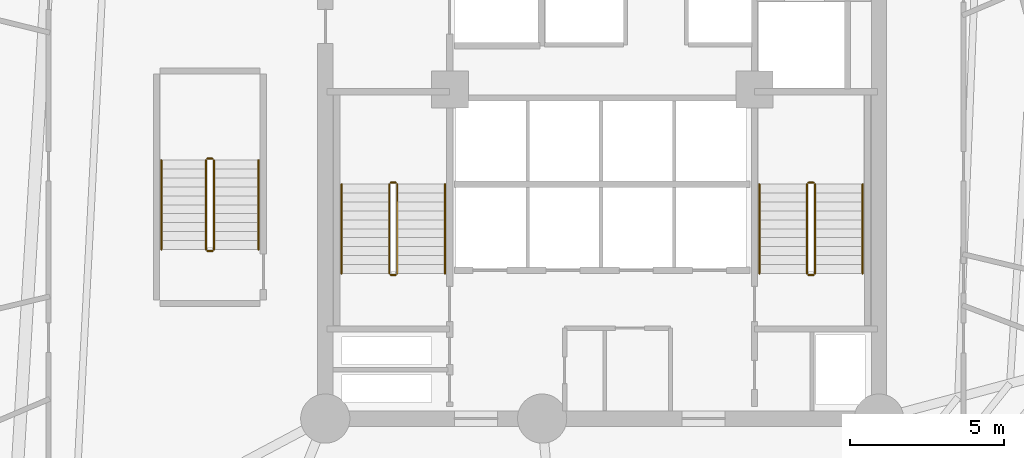
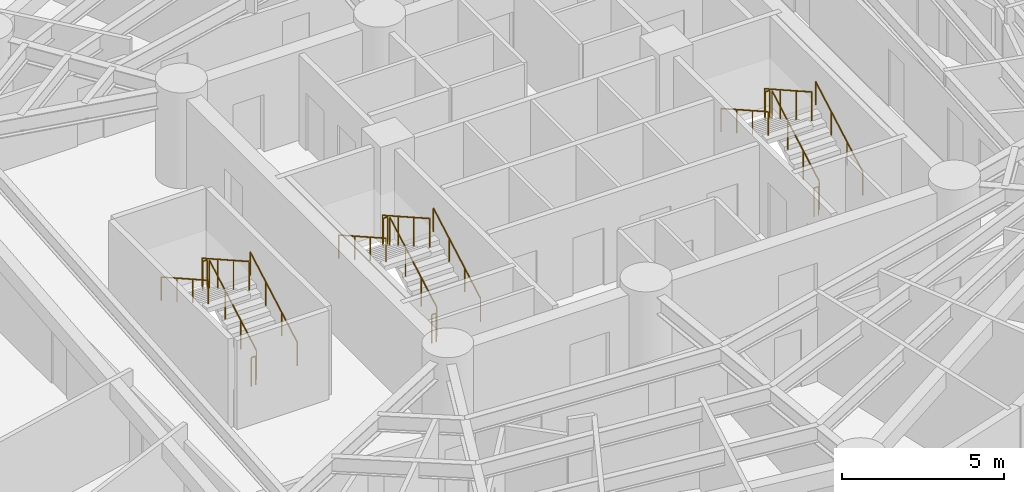
# One storey, part 8 of 8: 18 railings.
"""IFC4 building model written with IfcOpenShell, lengths in metres."""

import ifcopenshell
import ifcopenshell.guid

model = None  # the IFC model being written
_history = None  # IfcOwnerHistory: only IFC2X3 demands one
_inside = {}  # id of a spatial element -> (the spatial element, [elements in it])
_under = {}  # id of a project, library or spatial element -> (it, [spatial elements below it])
_declared = {}  # id of a project -> (the project, [libraries it declares])
_typed = {}  # id of a type object -> (the type object, [elements of that type])
_made_of = {}  # id of a material, layer set ... -> (it, [elements and type objects made of it])


def new_model(schema):
    """Start an empty IFC model of exactly this schema.

    Asked for "IFC4X3", IfcOpenShell would pick the latest addendum, in which some entities
    have other attributes; the version numbers below select the first issue.
    IFC2X3 requires an IfcOwnerHistory on every rooted entity: one is made here for all.
    """
    global model, _history
    if schema == "IFC4X3":
        model = ifcopenshell.file(schema_version=(4, 3, 0, 0))
    else:
        model = ifcopenshell.file(schema=schema)
    _inside.clear()
    _under.clear()
    _declared.clear()
    _typed.clear()
    _made_of.clear()
    _history = None
    if model.schema == "IFC2X3":
        org = make("IfcOrganization", Name="unknown")
        user = make(
            "IfcPersonAndOrganization",
            ThePerson=make("IfcPerson", FamilyName="unknown"),
            TheOrganization=org,
        )
        app = make(
            "IfcApplication",
            ApplicationDeveloper=org,
            Version="unknown",
            ApplicationFullName="unknown",
            ApplicationIdentifier="unknown",
        )
        _history = make(
            "IfcOwnerHistory",
            OwningUser=user,
            OwningApplication=app,
            ChangeAction="ADDED",
            CreationDate=0,
        )
    return model


def make(cls, **values):
    """One entity of the class cls with the attributes given. An attribute that is None is left unset."""
    return model.create_entity(
        cls, **{name: value for name, value in values.items() if value is not None}
    )


def rooted(cls, **values):
    """An entity with a GlobalId (a new one), such as an element, a storey or a relation."""
    return make(cls, GlobalId=ifcopenshell.guid.new(), OwnerHistory=_history, **values)


def si_unit(unit_type, name, prefix=None):
    """IfcSIUnit, for example si_unit("LENGTHUNIT", "METRE", prefix="MILLI")."""
    return make("IfcSIUnit", UnitType=unit_type, Prefix=prefix, Name=name)


def assignment(units):
    """IfcUnitAssignment: the units of a project."""
    return None if units is None else make("IfcUnitAssignment", Units=units)


def point(xyz):
    """IfcCartesianPoint."""
    return None if xyz is None else make("IfcCartesianPoint", Coordinates=xyz)


def direction(xyz):
    """IfcDirection."""
    return None if xyz is None else make("IfcDirection", DirectionRatios=xyz)


def frame(location, z_axis=None, x_axis=None):
    """IfcAxis2Placement3D, a coordinate frame: its origin and axes. An axis left out is left unset."""
    return make(
        "IfcAxis2Placement3D",
        Location=point(location),
        Axis=direction(z_axis),
        RefDirection=direction(x_axis),
    )


def frame_2d(location, x_axis=None):
    """IfcAxis2Placement2D, a coordinate frame in the plane: its origin and x axis."""
    return make(
        "IfcAxis2Placement2D", Location=point(location), RefDirection=direction(x_axis)
    )


def origin():
    """The frame at (0, 0, 0) with its axes left unset."""
    return frame((0.0, 0.0, 0.0))


def origin_2d():
    """The frame at (0, 0) in the plane with its x axis left unset."""
    return frame_2d((0.0, 0.0))


def place(relative_to, where):
    """IfcLocalPlacement: puts the frame where relative to a parent placement (None: the world)."""
    return make(
        "IfcLocalPlacement", PlacementRelTo=relative_to, RelativePlacement=where
    )


def context(
    kind, dimensions, precision=None, world=None, true_north=None, identifier=None
):
    """IfcGeometricRepresentationContext, for example the 3D "Model" context."""
    return make(
        "IfcGeometricRepresentationContext",
        ContextIdentifier=identifier,
        ContextType=kind,
        CoordinateSpaceDimension=dimensions,
        Precision=precision,
        WorldCoordinateSystem=world,
        TrueNorth=true_north,
    )


def subcontext(parent, identifier, kind, view, scale=None):
    """IfcGeometricRepresentationSubContext, for example "Body" below "Model"."""
    return make(
        "IfcGeometricRepresentationSubContext",
        ContextIdentifier=identifier,
        ContextType=kind,
        ParentContext=parent,
        TargetScale=scale,
        TargetView=view,
    )


def project(units=None, contexts=None):
    """IfcProject with its units and contexts."""
    return rooted(
        "IfcProject",
        Name="project",
        RepresentationContexts=contexts,
        UnitsInContext=assignment(units),
    )


def spatial(cls, under=None, at=None, **own):
    """A site, building, storey or space (cls), placed at a placement, below another one or the project."""
    s = rooted(cls, ObjectPlacement=at, **own)
    if under is not None:
        _under.setdefault(under.id(), (under, []))[1].append(s)
    return s


def profile(cls, at=None, kind="AREA", **sizes):
    """A parametric profile (cls). Its sizes go by their IFC names, for example OverallWidth=200.0."""
    return make(cls, ProfileType=kind, Position=at, **sizes)


def circle(**sizes):
    """IfcCircleProfileDef."""
    return profile("IfcCircleProfileDef", **sizes)


def extrude(swept, where, along, depth):
    """IfcExtrudedAreaSolid: the profile swept, set in the frame where, extruded along a direction by depth."""
    return make(
        "IfcExtrudedAreaSolid",
        SweptArea=swept,
        Position=where,
        ExtrudedDirection=direction(along),
        Depth=depth,
    )


def shape(context_of_items, identifier, shape_type, items):
    """IfcShapeRepresentation: the items that make up one representation, for example the "Body"."""
    return make(
        "IfcShapeRepresentation",
        ContextOfItems=context_of_items,
        RepresentationIdentifier=identifier,
        RepresentationType=shape_type,
        Items=items,
    )


def material(Name=None, Category=None):
    """IfcMaterial."""
    return make("IfcMaterial", Name=Name, Category=Category)


def layer(
    of_material, thickness, ventilated=None, Name=None, Category=None, Priority=None
):
    """IfcMaterialLayer: one layer of a wall or slab, of a material (None: an air gap)."""
    return make(
        "IfcMaterialLayer",
        Material=of_material,
        LayerThickness=thickness,
        IsVentilated=ventilated,
        Name=Name,
        Category=Category,
        Priority=Priority,
    )


def layer_set(layers, Name=None):
    """IfcMaterialLayerSet."""
    return make("IfcMaterialLayerSet", MaterialLayers=layers, LayerSetName=Name)


def made_of(thing, what):
    """Note that an element or type object is made of a material, layer set ...; save() writes the relation."""
    if what is not None:
        _made_of.setdefault(what.id(), (what, []))[1].append(thing)
    return thing


def type_object(cls, material=None, **own):
    """A type object (cls), such as IfcWallType, which elements share."""
    return made_of(rooted(cls, **own), material)


def element(
    cls,
    number,
    at=None,
    inside=None,
    cuts=None,
    type_object=None,
    material=None,
    context=None,
    identifier="Body",
    shape_type=None,
    held_by="IfcProductDefinitionShape",
    body=None,
    shapes=None,
    **own,
):
    """One element of the class cls, such as IfcWall. Its Tag is "e" and its number.

    at: its placement. inside: the storey or other place that contains it. cuts: it is an
    opening in that element (IfcRelVoidsElement). A single representation is given by context,
    identifier, shape_type and body (its items); several are given by shapes. held_by: the class
    of the entity that holds the representations. save() writes the other relations.
    """
    e = rooted(cls, Tag="e%d" % number, ObjectPlacement=at, **own)
    if body is not None:
        shapes = [shape(context, identifier, shape_type, body)]
    if shapes is not None:
        e.Representation = make(held_by, Representations=shapes)
    if inside is not None:
        _inside.setdefault(inside.id(), (inside, []))[1].append(e)
    if cuts is not None:
        rooted(
            "IfcRelVoidsElement", RelatingBuildingElement=cuts, RelatedOpeningElement=e
        )
    if type_object is not None:
        _typed.setdefault(type_object.id(), (type_object, []))[1].append(e)
    return made_of(e, material)


def aggregate(whole, parts):
    """IfcRelAggregates: a whole, such as a stair, and the parts it consists of."""
    return rooted("IfcRelAggregates", RelatingObject=whole, RelatedObjects=parts)


def save(model, path):
    """Write the relations noted so far, then the file.

    IfcRelAggregates (storeys below a building ...), IfcRelContainedInSpatialStructure (elements
    in a storey), IfcRelDefinesByType, IfcRelAssociatesMaterial and IfcRelDeclares: one each for
    every whole, place, type object, material and project.
    """
    for whole, parts in _under.values():
        aggregate(whole, parts)
    for where, things in _inside.values():
        rooted(
            "IfcRelContainedInSpatialStructure",
            RelatedElements=things,
            RelatingStructure=where,
        )
    for kind, things in _typed.values():
        rooted("IfcRelDefinesByType", RelatedObjects=things, RelatingType=kind)
    for what, things in _made_of.values():
        rooted("IfcRelAssociatesMaterial", RelatedObjects=things, RelatingMaterial=what)
    for by, libraries in _declared.values():
        rooted("IfcRelDeclares", RelatingContext=by, RelatedDefinitions=libraries)
    model.write(path)


model = new_model("IFC4")

# Units and contexts
model_context = context("Model", 3, precision=1e-05, world=origin(), true_north=direction((0.0, 1.0)))
body_context = subcontext(model_context, "Body", "Model", "MODEL_VIEW")
ifc_project = project(units=[si_unit("LENGTHUNIT", "METRE"), si_unit("AREAUNIT", "SQUARE_METRE"), si_unit("VOLUMEUNIT", "CUBIC_METRE"), si_unit("PLANEANGLEUNIT", "RADIAN"), si_unit("MASSUNIT", "GRAM", prefix="KILO")], contexts=[model_context])

# Site, building, storey
site_placement = place(None, origin())
site = spatial("IfcSite", under=ifc_project, at=site_placement, CompositionType="ELEMENT")
building_placement = place(site_placement, origin())
building = spatial("IfcBuilding", under=site, at=building_placement, Name="Karkom Vertical University and Central Library", CompositionType="ELEMENT")
storey_placement = place(building_placement, frame((0.0, 0.0, 30.10009765625)))
storey = spatial("IfcBuildingStorey", under=building, at=storey_placement, Name="L07", CompositionType="ELEMENT", Elevation=30.10009765625)

# Railings
ifc_material_1 = material(Name="Painted galvanised steel balustrade", Category="steel")
ifc_layer_1 = layer(ifc_material_1, 0.06005859375)
ifc_layer_set_1 = layer_set([ifc_layer_1], Name="Painted galvanised steel balustrade")
railing_type_1 = type_object("IfcRailingType", Name="INT-RL-GUARD1100", PredefinedType="GUARDRAIL", material=ifc_layer_set_1)
railing_1_placement = place(storey_placement, frame((21.840087890625, 23.02001953125, 0.16357421875)))
element("IfcRailing", 1, at=railing_1_placement, inside=storey, type_object=railing_type_1, Name="Level 07 ST-1 stair guard 1", PredefinedType="GUARDRAIL", context=body_context, shape_type="SweptSolid", body=[
    extrude(circle(Radius=0.02392578125, at=origin_2d()), frame((0.0, 0.0, 1.076171875), z_axis=(0.0, 0.870928581787, 0.491409610636), x_axis=(-1.0, 0.0, 0.0)), (0.0, 0.0, 1.0), 3.32958984375),
    extrude(circle(Radius=0.02099609375, at=origin_2d()), origin(), (0.0, 0.0, 1.0), 1.052001953125),
    extrude(circle(Radius=0.02099609375, at=origin_2d()), frame((0.0, 0.966552734375, 0.54541015625)), (0.0, 0.0, 1.0), 1.052001953125),
    extrude(circle(Radius=0.02099609375, at=origin_2d()), frame((0.0, 1.933349609375, 1.0908203125)), (0.0, 0.0, 1.0), 1.052001953125),
    extrude(circle(Radius=0.02099609375, at=origin_2d()), frame((0.0, 2.89990234375, 1.63623046875)), (0.0, 0.0, 1.0), 1.052001953125),
])
railing_2_placement = place(storey_placement, frame((21.7900390625, 25.969970703125, 1.7998046875)))
element("IfcRailing", 2, at=railing_2_placement, inside=storey, type_object=railing_type_1, Name="Level 07 ST-1 stair guard 2", PredefinedType="GUARDRAIL", context=body_context, shape_type="SweptSolid", body=[
    extrude(circle(Radius=0.02392578125, at=origin_2d()), frame((0.0, 0.0, 1.076171875), z_axis=(-1.0, 0.0, 0.0), x_axis=(0.0, -1.0, 0.0)), (0.0, 0.0, 1.0), 0.16015625),
    extrude(circle(Radius=0.02099609375, at=origin_2d()), origin(), (0.0, 0.0, 1.0), 1.052001953125),
    extrude(circle(Radius=0.02099609375, at=origin_2d()), frame((-0.16015625, 0.0, 0.0)), (0.0, 0.0, 1.0), 1.052001953125),
])
railing_3_placement = place(storey_placement, frame((21.580078125, 25.919921875, 1.963623046875)))
element("IfcRailing", 3, at=railing_3_placement, inside=storey, type_object=railing_type_1, Name="Level 07 ST-1 stair guard 3", PredefinedType="GUARDRAIL", context=body_context, shape_type="SweptSolid", body=[
    extrude(circle(Radius=0.02392578125, at=origin_2d()), frame((0.0, 0.0, 1.076171875), z_axis=(0.0, -0.870928581787, 0.491409610636), x_axis=(1.0, 0.0, 0.0)), (0.0, 0.0, 1.0), 3.32958984375),
    extrude(circle(Radius=0.02099609375, at=origin_2d()), origin(), (0.0, 0.0, 1.0), 1.052001953125),
    extrude(circle(Radius=0.02099609375, at=origin_2d()), frame((0.0, -0.966552734375, 0.54541015625)), (0.0, 0.0, 1.0), 1.052001953125),
    extrude(circle(Radius=0.02099609375, at=origin_2d()), frame((0.0, -1.933349609375, 1.0908203125)), (0.0, 0.0, 1.0), 1.052001953125),
    extrude(circle(Radius=0.02099609375, at=origin_2d()), frame((0.0, -2.89990234375, 1.63623046875)), (0.0, 0.0, 1.0), 1.052001953125),
])
railing_4_placement = place(storey_placement, frame((21.7900390625, 22.969970703125, 0.0)))
element("IfcRailing", 4, at=railing_4_placement, inside=storey, type_object=railing_type_1, Name="Level 07 ST-1 stair guard 4", PredefinedType="GUARDRAIL", context=body_context, shape_type="SweptSolid", body=[
    extrude(circle(Radius=0.02392578125, at=origin_2d()), frame((0.0, 0.0, 1.076171875), z_axis=(-1.0, 0.0, 0.0), x_axis=(0.0, -1.0, 0.0)), (0.0, 0.0, 1.0), 0.16015625),
    extrude(circle(Radius=0.02099609375, at=origin_2d()), origin(), (0.0, 0.0, 1.0), 1.052001953125),
    extrude(circle(Radius=0.02099609375, at=origin_2d()), frame((-0.16015625, 0.0, 0.0)), (0.0, 0.0, 1.0), 1.052001953125),
])
railing_5_placement = place(storey_placement, frame((35.419921875, 23.02001953125, 0.16357421875)))
element("IfcRailing", 5, at=railing_5_placement, inside=storey, type_object=railing_type_1, Name="Level 07 ST-2 stair guard 1", PredefinedType="GUARDRAIL", context=body_context, shape_type="SweptSolid", body=[
    extrude(circle(Radius=0.02392578125, at=origin_2d()), frame((0.0, 0.0, 1.076171875), z_axis=(0.0, 0.870928581787, 0.491409610636), x_axis=(-1.0, 0.0, 0.0)), (0.0, 0.0, 1.0), 3.32958984375),
    extrude(circle(Radius=0.02099609375, at=origin_2d()), origin(), (0.0, 0.0, 1.0), 1.052001953125),
    extrude(circle(Radius=0.02099609375, at=origin_2d()), frame((0.0, 0.966552734375, 0.54541015625)), (0.0, 0.0, 1.0), 1.052001953125),
    extrude(circle(Radius=0.02099609375, at=origin_2d()), frame((0.0, 1.933349609375, 1.0908203125)), (0.0, 0.0, 1.0), 1.052001953125),
    extrude(circle(Radius=0.02099609375, at=origin_2d()), frame((0.0, 2.89990234375, 1.63623046875)), (0.0, 0.0, 1.0), 1.052001953125),
])
railing_6_placement = place(storey_placement, frame((35.3701171875, 25.969970703125, 1.7998046875)))
element("IfcRailing", 6, at=railing_6_placement, inside=storey, type_object=railing_type_1, Name="Level 07 ST-2 stair guard 2", PredefinedType="GUARDRAIL", context=body_context, shape_type="SweptSolid", body=[
    extrude(circle(Radius=0.02392578125, at=origin_2d()), frame((0.0, 0.0, 1.076171875), z_axis=(-1.0, 0.0, 0.0), x_axis=(0.0, -1.0, 0.0)), (0.0, 0.0, 1.0), 0.16015625),
    extrude(circle(Radius=0.02099609375, at=origin_2d()), origin(), (0.0, 0.0, 1.0), 1.052001953125),
    extrude(circle(Radius=0.02099609375, at=origin_2d()), frame((-0.16015625, 0.0, 0.0)), (0.0, 0.0, 1.0), 1.052001953125),
])
railing_7_placement = place(storey_placement, frame((35.159912109375, 25.919921875, 1.963623046875)))
element("IfcRailing", 7, at=railing_7_placement, inside=storey, type_object=railing_type_1, Name="Level 07 ST-2 stair guard 3", PredefinedType="GUARDRAIL", context=body_context, shape_type="SweptSolid", body=[
    extrude(circle(Radius=0.02392578125, at=origin_2d()), frame((0.0, 0.0, 1.076171875), z_axis=(0.0, -0.870928581787, 0.491409610636), x_axis=(1.0, 0.0, 0.0)), (0.0, 0.0, 1.0), 3.32958984375),
    extrude(circle(Radius=0.02099609375, at=origin_2d()), origin(), (0.0, 0.0, 1.0), 1.052001953125),
    extrude(circle(Radius=0.02099609375, at=origin_2d()), frame((0.0, -0.966552734375, 0.54541015625)), (0.0, 0.0, 1.0), 1.052001953125),
    extrude(circle(Radius=0.02099609375, at=origin_2d()), frame((0.0, -1.933349609375, 1.0908203125)), (0.0, 0.0, 1.0), 1.052001953125),
    extrude(circle(Radius=0.02099609375, at=origin_2d()), frame((0.0, -2.89990234375, 1.63623046875)), (0.0, 0.0, 1.0), 1.052001953125),
])
railing_8_placement = place(storey_placement, frame((35.3701171875, 22.969970703125, 0.0)))
element("IfcRailing", 8, at=railing_8_placement, inside=storey, type_object=railing_type_1, Name="Level 07 ST-2 stair guard 4", PredefinedType="GUARDRAIL", context=body_context, shape_type="SweptSolid", body=[
    extrude(circle(Radius=0.02392578125, at=origin_2d()), frame((0.0, 0.0, 1.076171875), z_axis=(-1.0, 0.0, 0.0), x_axis=(0.0, -1.0, 0.0)), (0.0, 0.0, 1.0), 0.16015625),
    extrude(circle(Radius=0.02099609375, at=origin_2d()), origin(), (0.0, 0.0, 1.0), 1.052001953125),
    extrude(circle(Radius=0.02099609375, at=origin_2d()), frame((-0.16015625, 0.0, 0.0)), (0.0, 0.0, 1.0), 1.052001953125),
])
railing_9_placement = place(storey_placement, frame((15.8798828125, 23.800048828125, 0.16357421875)))
element("IfcRailing", 9, at=railing_9_placement, inside=storey, type_object=railing_type_1, Name="Level 07 ST-3 stair guard 1", PredefinedType="GUARDRAIL", context=body_context, shape_type="SweptSolid", body=[
    extrude(circle(Radius=0.02392578125, at=origin_2d()), frame((0.0, 0.0, 1.076171875), z_axis=(0.0, 0.870928581787, 0.491409610636), x_axis=(-1.0, 0.0, 0.0)), (0.0, 0.0, 1.0), 3.32958984375),
    extrude(circle(Radius=0.02099609375, at=origin_2d()), origin(), (0.0, 0.0, 1.0), 1.052001953125),
    extrude(circle(Radius=0.02099609375, at=origin_2d()), frame((0.0, 0.966552734375, 0.54541015625)), (0.0, 0.0, 1.0), 1.052001953125),
    extrude(circle(Radius=0.02099609375, at=origin_2d()), frame((0.0, 1.933349609375, 1.0908203125)), (0.0, 0.0, 1.0), 1.052001953125),
    extrude(circle(Radius=0.02099609375, at=origin_2d()), frame((0.0, 2.89990234375, 1.63623046875)), (0.0, 0.0, 1.0), 1.052001953125),
])
railing_10_placement = place(storey_placement, frame((15.830078125, 26.75, 1.7998046875)))
element("IfcRailing", 10, at=railing_10_placement, inside=storey, type_object=railing_type_1, Name="Level 07 ST-3 stair guard 2", PredefinedType="GUARDRAIL", context=body_context, shape_type="SweptSolid", body=[
    extrude(circle(Radius=0.02392578125, at=origin_2d()), frame((0.0, 0.0, 1.076171875), z_axis=(-1.0, 0.0, 0.0), x_axis=(0.0, -1.0, 0.0)), (0.0, 0.0, 1.0), 0.16015625),
    extrude(circle(Radius=0.02099609375, at=origin_2d()), origin(), (0.0, 0.0, 1.0), 1.052001953125),
    extrude(circle(Radius=0.02099609375, at=origin_2d()), frame((-0.16015625, 0.0, 0.0)), (0.0, 0.0, 1.0), 1.052001953125),
])
railing_11_placement = place(storey_placement, frame((15.6201171875, 26.699951171875, 1.963623046875)))
element("IfcRailing", 11, at=railing_11_placement, inside=storey, type_object=railing_type_1, Name="Level 07 ST-3 stair guard 3", PredefinedType="GUARDRAIL", context=body_context, shape_type="SweptSolid", body=[
    extrude(circle(Radius=0.02392578125, at=origin_2d()), frame((0.0, 0.0, 1.076171875), z_axis=(0.0, -0.870928581787, 0.491409610636), x_axis=(1.0, 0.0, 0.0)), (0.0, 0.0, 1.0), 3.32958984375),
    extrude(circle(Radius=0.02099609375, at=origin_2d()), origin(), (0.0, 0.0, 1.0), 1.052001953125),
    extrude(circle(Radius=0.02099609375, at=origin_2d()), frame((0.0, -0.966552734375, 0.54541015625)), (0.0, 0.0, 1.0), 1.052001953125),
    extrude(circle(Radius=0.02099609375, at=origin_2d()), frame((0.0, -1.933349609375, 1.0908203125)), (0.0, 0.0, 1.0), 1.052001953125),
    extrude(circle(Radius=0.02099609375, at=origin_2d()), frame((0.0, -2.89990234375, 1.63623046875)), (0.0, 0.0, 1.0), 1.052001953125),
])
railing_12_placement = place(storey_placement, frame((15.830078125, 23.75, 0.0)))
element("IfcRailing", 12, at=railing_12_placement, inside=storey, type_object=railing_type_1, Name="Level 07 ST-3 stair guard 4", PredefinedType="GUARDRAIL", context=body_context, shape_type="SweptSolid", body=[
    extrude(circle(Radius=0.02392578125, at=origin_2d()), frame((0.0, 0.0, 1.076171875), z_axis=(-1.0, 0.0, 0.0), x_axis=(0.0, -1.0, 0.0)), (0.0, 0.0, 1.0), 0.16015625),
    extrude(circle(Radius=0.02099609375, at=origin_2d()), origin(), (0.0, 0.0, 1.0), 1.052001953125),
    extrude(circle(Radius=0.02099609375, at=origin_2d()), frame((-0.16015625, 0.0, 0.0)), (0.0, 0.0, 1.0), 1.052001953125),
])
ifc_material_2 = material(Name="Brushed stainless-steel tubular handrail", Category="steel")
ifc_layer_2 = layer(ifc_material_2, 0.048095703125)
ifc_layer_set_2 = layer_set([ifc_layer_2], Name="Brushed stainless-steel tubular handrail")
railing_type_2 = type_object("IfcRailingType", Name="INT-RL-HAND920", PredefinedType="HANDRAIL", material=ifc_layer_set_2)
railing_13_placement = place(storey_placement, frame((23.389892578125, 23.02001953125, 0.16357421875)))
element("IfcRailing", 13, at=railing_13_placement, inside=storey, type_object=railing_type_2, Name="Level 07 ST-1 stair handrail 1", PredefinedType="HANDRAIL", context=body_context, shape_type="SweptSolid", body=[
    extrude(circle(Radius=0.02392578125, at=origin_2d()), frame((0.0, 0.0, 0.8759765625), z_axis=(0.0, 0.870928581787, 0.491409610636), x_axis=(-1.0, 0.0, 0.0)), (0.0, 0.0, 1.0), 3.32958984375),
    extrude(circle(Radius=0.02099609375, at=origin_2d()), origin(), (0.0, 0.0, 1.0), 0.851806640625),
    extrude(circle(Radius=0.02099609375, at=origin_2d()), frame((0.0, 0.966552734375, 0.54541015625)), (0.0, 0.0, 1.0), 0.851806640625),
    extrude(circle(Radius=0.02099609375, at=origin_2d()), frame((0.0, 1.933349609375, 1.0908203125)), (0.0, 0.0, 1.0), 0.851806640625),
    extrude(circle(Radius=0.02099609375, at=origin_2d()), frame((0.0, 2.89990234375, 1.63623046875)), (0.0, 0.0, 1.0), 0.851806640625),
])
railing_14_placement = place(storey_placement, frame((20.030029296875, 25.919921875, 1.963623046875)))
element("IfcRailing", 14, at=railing_14_placement, inside=storey, type_object=railing_type_2, Name="Level 07 ST-1 stair handrail 2", PredefinedType="HANDRAIL", context=body_context, shape_type="SweptSolid", body=[
    extrude(circle(Radius=0.02392578125, at=origin_2d()), frame((0.0, 0.0, 0.8759765625), z_axis=(0.0, -0.870928581787, 0.491409610636), x_axis=(1.0, 0.0, 0.0)), (0.0, 0.0, 1.0), 3.32958984375),
    extrude(circle(Radius=0.02099609375, at=origin_2d()), origin(), (0.0, 0.0, 1.0), 0.851806640625),
    extrude(circle(Radius=0.02099609375, at=origin_2d()), frame((0.0, -0.966552734375, 0.54541015625)), (0.0, 0.0, 1.0), 0.851806640625),
    extrude(circle(Radius=0.02099609375, at=origin_2d()), frame((0.0, -1.933349609375, 1.0908203125)), (0.0, 0.0, 1.0), 0.851806640625),
    extrude(circle(Radius=0.02099609375, at=origin_2d()), frame((0.0, -2.89990234375, 1.63623046875)), (0.0, 0.0, 1.0), 0.851806640625),
])
railing_15_placement = place(storey_placement, frame((36.969970703125, 23.02001953125, 0.16357421875)))
element("IfcRailing", 15, at=railing_15_placement, inside=storey, type_object=railing_type_2, Name="Level 07 ST-2 stair handrail 1", PredefinedType="HANDRAIL", context=body_context, shape_type="SweptSolid", body=[
    extrude(circle(Radius=0.02392578125, at=origin_2d()), frame((0.0, 0.0, 0.8759765625), z_axis=(0.0, 0.870928581787, 0.491409610636), x_axis=(-1.0, 0.0, 0.0)), (0.0, 0.0, 1.0), 3.32958984375),
    extrude(circle(Radius=0.02099609375, at=origin_2d()), origin(), (0.0, 0.0, 1.0), 0.851806640625),
    extrude(circle(Radius=0.02099609375, at=origin_2d()), frame((0.0, 0.966552734375, 0.54541015625)), (0.0, 0.0, 1.0), 0.851806640625),
    extrude(circle(Radius=0.02099609375, at=origin_2d()), frame((0.0, 1.933349609375, 1.0908203125)), (0.0, 0.0, 1.0), 0.851806640625),
    extrude(circle(Radius=0.02099609375, at=origin_2d()), frame((0.0, 2.89990234375, 1.63623046875)), (0.0, 0.0, 1.0), 0.851806640625),
])
railing_16_placement = place(storey_placement, frame((33.610107421875, 25.919921875, 1.963623046875)))
element("IfcRailing", 16, at=railing_16_placement, inside=storey, type_object=railing_type_2, Name="Level 07 ST-2 stair handrail 2", PredefinedType="HANDRAIL", context=body_context, shape_type="SweptSolid", body=[
    extrude(circle(Radius=0.02392578125, at=origin_2d()), frame((0.0, 0.0, 0.8759765625), z_axis=(0.0, -0.870928581787, 0.491409610636), x_axis=(1.0, 0.0, 0.0)), (0.0, 0.0, 1.0), 3.32958984375),
    extrude(circle(Radius=0.02099609375, at=origin_2d()), origin(), (0.0, 0.0, 1.0), 0.851806640625),
    extrude(circle(Radius=0.02099609375, at=origin_2d()), frame((0.0, -0.966552734375, 0.54541015625)), (0.0, 0.0, 1.0), 0.851806640625),
    extrude(circle(Radius=0.02099609375, at=origin_2d()), frame((0.0, -1.933349609375, 1.0908203125)), (0.0, 0.0, 1.0), 0.851806640625),
    extrude(circle(Radius=0.02099609375, at=origin_2d()), frame((0.0, -2.89990234375, 1.63623046875)), (0.0, 0.0, 1.0), 0.851806640625),
])
railing_17_placement = place(storey_placement, frame((17.330078125, 23.800048828125, 0.16357421875)))
element("IfcRailing", 17, at=railing_17_placement, inside=storey, type_object=railing_type_2, Name="Level 07 ST-3 stair handrail 1", PredefinedType="HANDRAIL", context=body_context, shape_type="SweptSolid", body=[
    extrude(circle(Radius=0.02392578125, at=origin_2d()), frame((0.0, 0.0, 0.8759765625), z_axis=(0.0, 0.870928581787, 0.491409610636), x_axis=(-1.0, 0.0, 0.0)), (0.0, 0.0, 1.0), 3.32958984375),
    extrude(circle(Radius=0.02099609375, at=origin_2d()), origin(), (0.0, 0.0, 1.0), 0.851806640625),
    extrude(circle(Radius=0.02099609375, at=origin_2d()), frame((0.0, 0.966552734375, 0.54541015625)), (0.0, 0.0, 1.0), 0.851806640625),
    extrude(circle(Radius=0.02099609375, at=origin_2d()), frame((0.0, 1.933349609375, 1.0908203125)), (0.0, 0.0, 1.0), 0.851806640625),
    extrude(circle(Radius=0.02099609375, at=origin_2d()), frame((0.0, 2.89990234375, 1.63623046875)), (0.0, 0.0, 1.0), 0.851806640625),
])
railing_18_placement = place(storey_placement, frame((14.169921875, 26.699951171875, 1.963623046875)))
element("IfcRailing", 18, at=railing_18_placement, inside=storey, type_object=railing_type_2, Name="Level 07 ST-3 stair handrail 2", PredefinedType="HANDRAIL", context=body_context, shape_type="SweptSolid", body=[
    extrude(circle(Radius=0.02392578125, at=origin_2d()), frame((0.0, 0.0, 0.8759765625), z_axis=(0.0, -0.870928581787, 0.491409610636), x_axis=(1.0, 0.0, 0.0)), (0.0, 0.0, 1.0), 3.32958984375),
    extrude(circle(Radius=0.02099609375, at=origin_2d()), origin(), (0.0, 0.0, 1.0), 0.851806640625),
    extrude(circle(Radius=0.02099609375, at=origin_2d()), frame((0.0, -0.966552734375, 0.54541015625)), (0.0, 0.0, 1.0), 0.851806640625),
    extrude(circle(Radius=0.02099609375, at=origin_2d()), frame((0.0, -1.933349609375, 1.0908203125)), (0.0, 0.0, 1.0), 0.851806640625),
    extrude(circle(Radius=0.02099609375, at=origin_2d()), frame((0.0, -2.89990234375, 1.63623046875)), (0.0, 0.0, 1.0), 0.851806640625),
])

save(model, "model.ifc")
